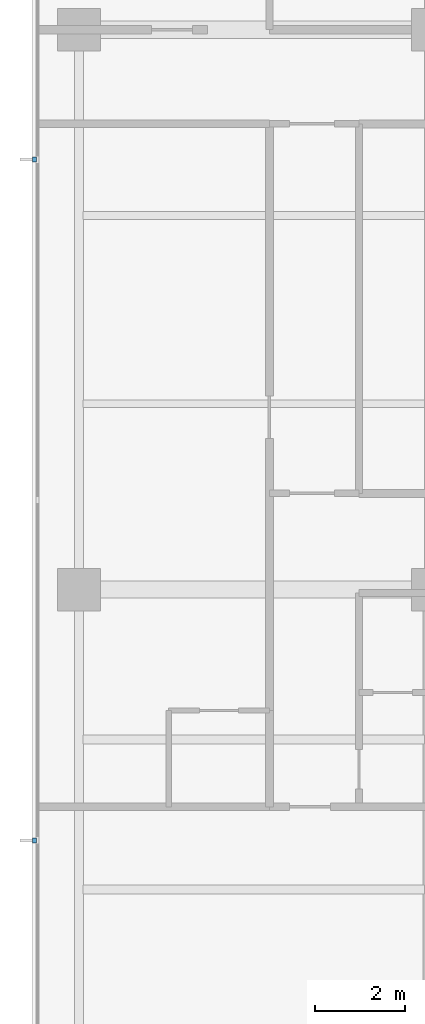
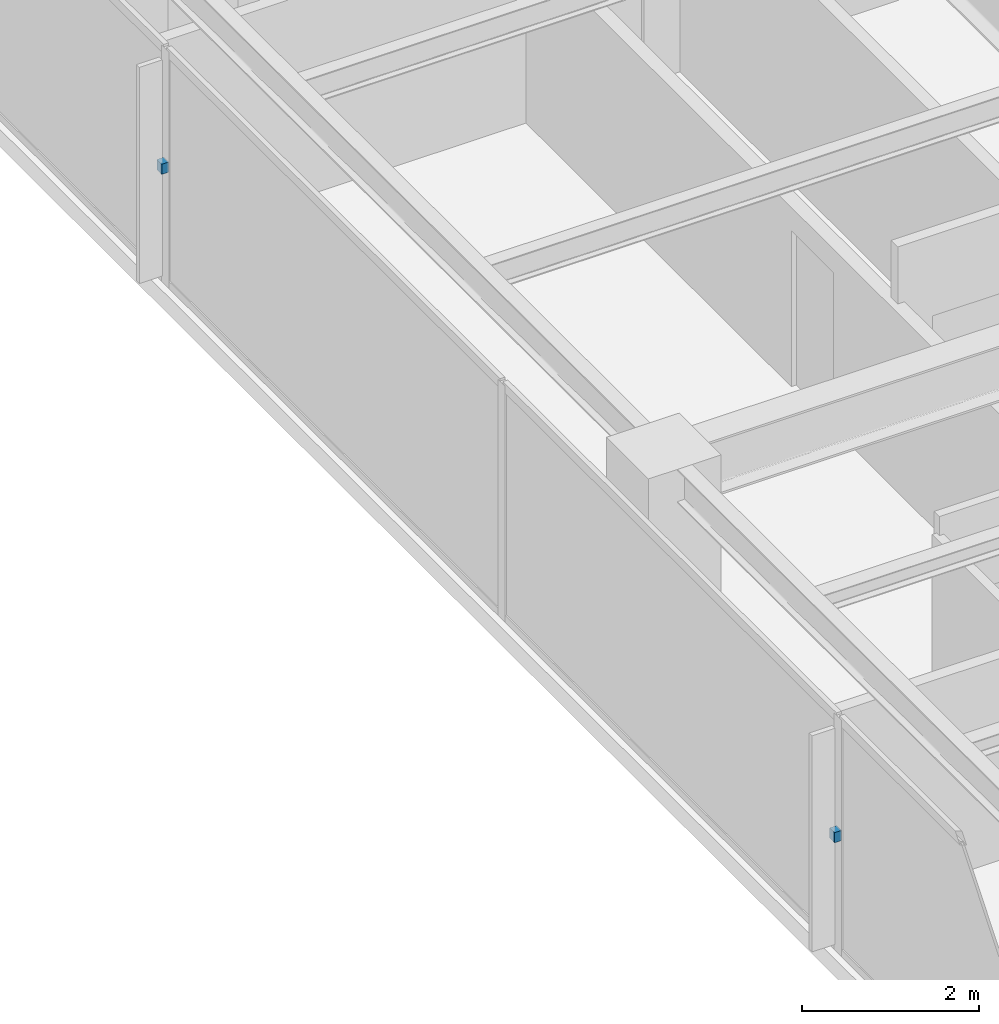
# One storey, part 11 of 14: 2 discrete accessories.
"""IFC4 building model written with IfcOpenShell, lengths in metres."""

from ifc_helpers import new_model, si_unit, direction, frame, origin, place, context, subcontext, project, spatial, polyline, outline, extrude, material, type_object, element, save


model = new_model("IFC4")

# Units and contexts
model_context = context("Model", 3, precision=1e-05, world=origin(), true_north=direction((0.0, 1.0)))
body_context = subcontext(model_context, "Body", "Model", "MODEL_VIEW")
ifc_project = project(units=[si_unit("LENGTHUNIT", "METRE"), si_unit("AREAUNIT", "SQUARE_METRE"), si_unit("VOLUMEUNIT", "CUBIC_METRE"), si_unit("PLANEANGLEUNIT", "RADIAN"), si_unit("MASSUNIT", "GRAM", prefix="KILO")], contexts=[model_context])

# Site, building, storey
site_placement = place(None, origin())
site = spatial("IfcSite", under=ifc_project, at=site_placement, CompositionType="ELEMENT")
building_placement = place(site_placement, origin())
building = spatial("IfcBuilding", under=site, at=building_placement, Name="Qalmaran Belvedere Hotel", CompositionType="ELEMENT")
storey_placement = place(building_placement, frame((0.0, 0.0, 224.89990234375)))
storey = spatial("IfcBuildingStorey", under=building, at=storey_placement, Name="L57", CompositionType="ELEMENT", Elevation=224.89990234375)

# Discrete accessories
ifc_material = material(Name="Stainless Steel 1.4401", Category="steel")
discrete_accessory_type = type_object("IfcDiscreteAccessoryType", Name="BRK-FIN-SS316", PredefinedType="BRACKET", material=ifc_material)
discrete_accessory_1_placement = place(storey_placement, frame((0.0, 0.0, 1.580078125)))
element("IfcDiscreteAccessory", 1, at=discrete_accessory_1_placement, inside=storey, type_object=discrete_accessory_type, Name="L57 Fin Bracket 1", PredefinedType="BRACKET", context=body_context, shape_type="SweptSolid", body=[
    extrude(outline(polyline([(11.455078125, 30.155029296875), (11.362548828125, 30.155029296875), (11.362548828125, 30.044921875), (11.455078125, 30.044921875), (11.455078125, 30.155029296875)])), origin(), (0.0, 0.0, 1.0), 0.14013671875),
])
discrete_accessory_2_placement = place(storey_placement, frame((0.0, 0.0, 1.580078125)))
element("IfcDiscreteAccessory", 2, at=discrete_accessory_2_placement, inside=storey, type_object=discrete_accessory_type, Name="L57 Fin Bracket 3", PredefinedType="BRACKET", context=body_context, shape_type="SweptSolid", body=[
    extrude(outline(polyline([(11.455078125, 14.955078125), (11.362548828125, 14.955078125), (11.362548828125, 14.844970703125), (11.455078125, 14.844970703125), (11.455078125, 14.955078125)])), origin(), (0.0, 0.0, 1.0), 0.14013671875),
])

save(model, "model.ifc")
